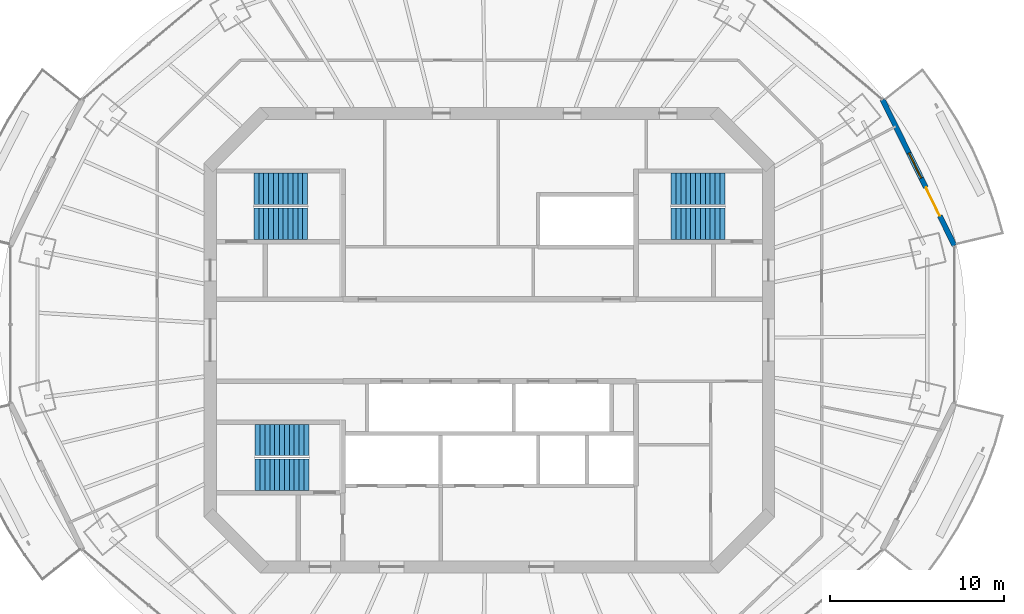
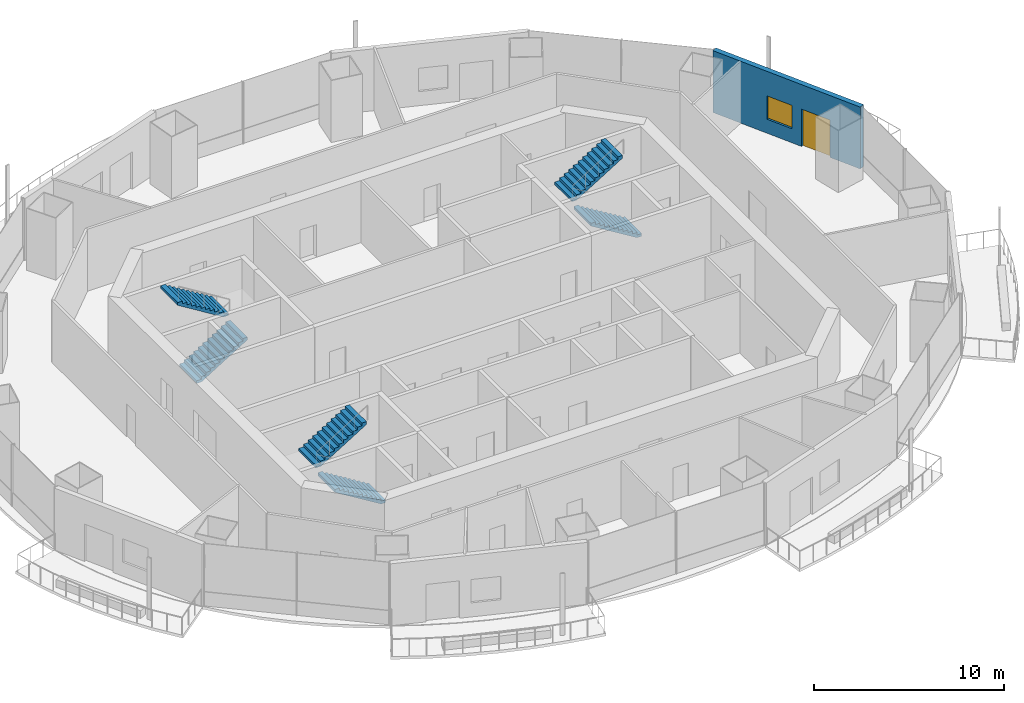
# One storey, part 11 of 16: 6 stair flights, 1 door, 1 wall, 1 window, 2 openings, 3 elements without a shape of their own.
"""IFC4 building model written with IfcOpenShell, lengths in metres."""

from ifc_helpers import new_model, si_unit, direction, frame, frame_2d, origin, place, context, subcontext, project, spatial, polyline, rectangle, outline, extrude, material, layer, layer_set, type_object, element, fill, aggregate, save


model = new_model("IFC4")

# Units and contexts
model_context = context("Model", 3, precision=1e-05, world=origin(), true_north=direction((0.0, 1.0)))
body_context = subcontext(model_context, "Body", "Model", "MODEL_VIEW")
ifc_project = project(units=[si_unit("LENGTHUNIT", "METRE"), si_unit("AREAUNIT", "SQUARE_METRE"), si_unit("VOLUMEUNIT", "CUBIC_METRE"), si_unit("PLANEANGLEUNIT", "RADIAN"), si_unit("MASSUNIT", "GRAM", prefix="KILO")], contexts=[model_context])

# Site, building, storey
site_placement = place(None, origin())
site = spatial("IfcSite", under=ifc_project, at=site_placement, CompositionType="ELEMENT")
building_placement = place(site_placement, origin())
building = spatial("IfcBuilding", under=site, at=building_placement, Name="Marenthal Gate Tower", CompositionType="ELEMENT")
storey_placement = place(building_placement, frame((0.0, 0.0, 330.14990234375)))
storey = spatial("IfcBuildingStorey", under=building, at=storey_placement, Name="L74", CompositionType="ELEMENT", Elevation=330.14990234375)

# Wall, openings, door, window
ifc_material_1 = material(Name="Terracotta cladding on insulated concrete-block backing", Category="masonry")
ifc_layer = layer(ifc_material_1, 0.300048828125)
ifc_layer_set = layer_set([ifc_layer], Name="Terracotta facade wall 300")
wall_type = type_object("IfcWallType", Name="Terracotta facade wall 300", PredefinedType="SOLIDWALL", material=ifc_layer_set)
wall_placement = place(storey_placement, frame((26.661865234375, 5.427490234375, 0.0), z_axis=(0.0, 0.0, 1.0), x_axis=(-0.441801707928, 0.897112730303, 0.0)))
wall = element("IfcWall", 1, at=wall_placement, inside=storey, type_object=wall_type, Name="Terracotta facade wall L74 bay 1", PredefinedType="SOLIDWALL", context=body_context, shape_type="SweptSolid", body=[
    extrude(rectangle(XDim=9.3251953125, YDim=0.300048828125, at=frame_2d((4.66259765625, 0.0))), origin(), (0.0, 0.0, 1.0), 3.97021484375),
])
opening_1_placement = place(wall_placement, frame((1.89990234375, 0.0, 0.0)))
opening_1 = element("IfcOpeningElement", 2, at=opening_1_placement, cuts=wall, Name="Opening BD-L74-01", PredefinedType="OPENING", context=body_context, shape_type="SweptSolid", body=[
    extrude(rectangle(XDim=1.800048828125, YDim=2.39990234375, at=frame_2d((0.89990234375, 1.199951171875))), frame((0.0, 0.16015625, 0.0), z_axis=(0.0, -1.0, 0.0), x_axis=(1.0, 0.0, 0.0)), (0.0, 0.0, 1.0), 0.320068359375),
])
opening_2_placement = place(wall_placement, frame((4.300048828125, 0.0, 0.89990234375)))
opening_2 = element("IfcOpeningElement", 3, at=opening_2_placement, cuts=wall, Name="Opening WN3-L74-01", PredefinedType="OPENING", context=body_context, shape_type="SweptSolid", body=[
    extrude(rectangle(XDim=1.60009765625, YDim=1.5, at=frame_2d((0.800048828125, 0.75))), frame((0.0, 0.16015625, 0.0), z_axis=(0.0, -1.0, 0.0), x_axis=(1.0, 0.0, 0.0)), (0.0, 0.0, 1.0), 0.320068359375),
])
ifc_material_2 = material(Name="Aluminium and glass", Category="aluminium")
door_type = type_object("IfcDoorType", Name="Balcony door 1800x2400", OperationType="DOUBLE_DOOR_SINGLE_SWING", PredefinedType="DOOR", material=ifc_material_2)
door_placement = place(opening_1_placement, origin())
door = element("IfcDoor", 4, at=door_placement, inside=storey, type_object=door_type, Name="Balcony door L74 bay 1", OperationType="SINGLE_SWING_LEFT", OverallHeight=2.39990234375, OverallWidth=1.800048828125, PredefinedType="DOOR", context=body_context, shape_type="SweptSolid", body=[
    extrude(rectangle(XDim=1.800048828125, YDim=2.39990234375, at=frame_2d((0.89990234375, 1.199951171875))), frame((0.0, 0.02490234375, 0.0), z_axis=(0.0, -1.0, 0.0), x_axis=(1.0, 0.0, 0.0)), (0.0, 0.0, 1.0), 0.050048828125),
])
fill(opening_1, door)
ifc_material_3 = material(Name="Aluminium and glass", Category="aluminium")
window_type = type_object("IfcWindowType", Name="Window 1600x1500", PartitioningType="DOUBLE_PANEL_VERTICAL", PredefinedType="WINDOW", material=ifc_material_3)
window_placement = place(opening_2_placement, origin())
window = element("IfcWindow", 5, at=window_placement, inside=storey, type_object=window_type, Name="Window L74 bay 1", OverallHeight=1.5, OverallWidth=1.60009765625, PartitioningType="SINGLE_PANEL", PredefinedType="WINDOW", context=body_context, shape_type="SweptSolid", body=[
    extrude(rectangle(XDim=1.60009765625, YDim=1.5, at=frame_2d((0.800048828125, 0.75))), frame((0.0, 0.030029296875, 0.0), z_axis=(0.0, -1.0, 0.0), x_axis=(1.0, 0.0, 0.0)), (0.0, 0.0, 1.0), 0.06005859375),
])
fill(opening_2, window)

# Stair, stair flights
ifc_material_4 = material(Name="Concrete 40 MPa", Category="concrete")
stair_type = type_object("IfcStairType", Name="Exit stair 1800", PredefinedType="HALF_TURN_STAIR", material=ifc_material_4)
stair_1_placement = place(storey_placement, origin())
stair_1 = element("IfcStair", 6, at=stair_1_placement, inside=storey, type_object=stair_type, Name="Stair ST1", PredefinedType="HALF_TURN_STAIR")
ifc_material_5 = material(Name="Concrete 40 MPa", Category="concrete")
stair_flight_type = type_object("IfcStairFlightType", Name="Stair flight 1800", PredefinedType="STRAIGHT", material=ifc_material_5)
stair_flight_1_placement = place(storey_placement, frame((-13.5, 6.675048828125, 0.0), z_axis=(0.0, 0.0, 1.0), x_axis=(1.0, 0.0, 0.0)))
stair_flight_1 = element("IfcStairFlight", 7, at=stair_flight_1_placement, type_object=stair_flight_type, Name="ST1 flight 1", NumberOfRisers=12, NumberOfTreads=11, PredefinedType="STRAIGHT", RiserHeight=0.172916667, TreadLength=0.28, context=body_context, shape_type="SweptSolid", body=[
    extrude(outline(polyline([(0.0, 0.0), (0.0, 0.1728515625), (0.280029296875, 0.1728515625), (0.280029296875, 0.345947265625), (0.56005859375, 0.345947265625), (0.56005859375, 0.518798828125), (0.840087890625, 0.518798828125), (0.840087890625, 0.691650390625), (1.1201171875, 0.691650390625), (1.1201171875, 0.864501953125), (1.39990234375, 0.864501953125), (1.39990234375, 1.03759765625), (1.679931640625, 1.03759765625), (1.679931640625, 1.21044921875), (1.9599609375, 1.21044921875), (1.9599609375, 1.38330078125), (2.239990234375, 1.38330078125), (2.239990234375, 1.55615234375), (2.52001953125, 1.55615234375), (2.52001953125, 1.729248046875), (2.800048828125, 1.729248046875), (2.800048828125, 1.902099609375), (3.080078125, 1.902099609375), (3.080078125, 2.074951171875), (3.080078125, 1.725830078125), (0.285400390625, 0.0), (0.0, 0.0)])), frame((0.0, 0.89990234375, 0.0), z_axis=(0.0, -1.0, 0.0), x_axis=(1.0, 0.0, 0.0)), (0.0, 0.0, 1.0), 1.800048828125),
])
stair_flight_2_placement = place(storey_placement, frame((-10.419921875, 8.675048828125, 2.0751953125), z_axis=(0.0, 0.0, 1.0), x_axis=(-1.0, 0.0, 0.0)))
stair_flight_2 = element("IfcStairFlight", 8, at=stair_flight_2_placement, type_object=stair_flight_type, Name="ST1 flight 2", NumberOfRisers=12, NumberOfTreads=11, PredefinedType="STRAIGHT", RiserHeight=0.172916667, TreadLength=0.28, context=body_context, shape_type="SweptSolid", body=[
    extrude(outline(polyline([(0.0, 0.0), (0.0, 0.1728515625), (0.280029296875, 0.1728515625), (0.280029296875, 0.345947265625), (0.56005859375, 0.345947265625), (0.56005859375, 0.518798828125), (0.840087890625, 0.518798828125), (0.840087890625, 0.691650390625), (1.1201171875, 0.691650390625), (1.1201171875, 0.864501953125), (1.39990234375, 0.864501953125), (1.39990234375, 1.03759765625), (1.679931640625, 1.03759765625), (1.679931640625, 1.21044921875), (1.9599609375, 1.21044921875), (1.9599609375, 1.38330078125), (2.239990234375, 1.38330078125), (2.239990234375, 1.55615234375), (2.52001953125, 1.55615234375), (2.52001953125, 1.729248046875), (2.800048828125, 1.729248046875), (2.800048828125, 1.902099609375), (3.080078125, 1.902099609375), (3.080078125, 2.074951171875), (3.080078125, 1.725830078125), (0.285400390625, 0.0), (0.0, 0.0)])), frame((0.0, 0.89990234375, 0.0), z_axis=(0.0, -1.0, 0.0), x_axis=(1.0, 0.0, 0.0)), (0.0, 0.0, 1.0), 1.800048828125),
])
aggregate(stair_1, [stair_flight_1, stair_flight_2])

stair_2_placement = place(storey_placement, origin())
stair_2 = element("IfcStair", 9, at=stair_2_placement, inside=storey, type_object=stair_type, Name="Stair ST2", PredefinedType="HALF_TURN_STAIR")
stair_flight_3_placement = place(storey_placement, frame((-10.35009765625, -7.72509765625, 0.0), z_axis=(0.0, 0.0, 1.0), x_axis=(-1.0, 0.0, 0.0)))
stair_flight_3 = element("IfcStairFlight", 10, at=stair_flight_3_placement, type_object=stair_flight_type, Name="ST2 flight 1", NumberOfRisers=12, NumberOfTreads=11, PredefinedType="STRAIGHT", RiserHeight=0.172916667, TreadLength=0.28, context=body_context, shape_type="SweptSolid", body=[
    extrude(outline(polyline([(0.0, 0.0), (0.0, 0.1728515625), (0.280029296875, 0.1728515625), (0.280029296875, 0.345947265625), (0.56005859375, 0.345947265625), (0.56005859375, 0.518798828125), (0.840087890625, 0.518798828125), (0.840087890625, 0.691650390625), (1.1201171875, 0.691650390625), (1.1201171875, 0.864501953125), (1.39990234375, 0.864501953125), (1.39990234375, 1.03759765625), (1.679931640625, 1.03759765625), (1.679931640625, 1.21044921875), (1.9599609375, 1.21044921875), (1.9599609375, 1.38330078125), (2.239990234375, 1.38330078125), (2.239990234375, 1.55615234375), (2.52001953125, 1.55615234375), (2.52001953125, 1.729248046875), (2.800048828125, 1.729248046875), (2.800048828125, 1.902099609375), (3.080078125, 1.902099609375), (3.080078125, 2.074951171875), (3.080078125, 1.725830078125), (0.285400390625, 0.0), (0.0, 0.0)])), frame((0.0, 0.89990234375, 0.0), z_axis=(0.0, -1.0, 0.0), x_axis=(1.0, 0.0, 0.0)), (0.0, 0.0, 1.0), 1.800048828125),
])
stair_flight_4_placement = place(storey_placement, frame((-13.429931640625, -5.72509765625, 2.0751953125), z_axis=(0.0, 0.0, 1.0), x_axis=(1.0, 0.0, 0.0)))
stair_flight_4 = element("IfcStairFlight", 11, at=stair_flight_4_placement, type_object=stair_flight_type, Name="ST2 flight 2", NumberOfRisers=12, NumberOfTreads=11, PredefinedType="STRAIGHT", RiserHeight=0.172916667, TreadLength=0.28, context=body_context, shape_type="SweptSolid", body=[
    extrude(outline(polyline([(0.0, 0.0), (0.0, 0.1728515625), (0.280029296875, 0.1728515625), (0.280029296875, 0.345947265625), (0.56005859375, 0.345947265625), (0.56005859375, 0.518798828125), (0.840087890625, 0.518798828125), (0.840087890625, 0.691650390625), (1.1201171875, 0.691650390625), (1.1201171875, 0.864501953125), (1.39990234375, 0.864501953125), (1.39990234375, 1.03759765625), (1.679931640625, 1.03759765625), (1.679931640625, 1.21044921875), (1.9599609375, 1.21044921875), (1.9599609375, 1.38330078125), (2.239990234375, 1.38330078125), (2.239990234375, 1.55615234375), (2.52001953125, 1.55615234375), (2.52001953125, 1.729248046875), (2.800048828125, 1.729248046875), (2.800048828125, 1.902099609375), (3.080078125, 1.902099609375), (3.080078125, 2.074951171875), (3.080078125, 1.725830078125), (0.285400390625, 0.0), (0.0, 0.0)])), frame((0.0, 0.89990234375, 0.0), z_axis=(0.0, -1.0, 0.0), x_axis=(1.0, 0.0, 0.0)), (0.0, 0.0, 1.0), 1.800048828125),
])
aggregate(stair_2, [stair_flight_3, stair_flight_4])

stair_3_placement = place(storey_placement, origin())
stair_3 = element("IfcStair", 12, at=stair_3_placement, inside=storey, type_object=stair_type, Name="Stair ST3", PredefinedType="HALF_TURN_STAIR")
stair_flight_5_placement = place(storey_placement, frame((13.5, 6.675048828125, 0.0), z_axis=(0.0, 0.0, 1.0), x_axis=(-1.0, 0.0, 0.0)))
stair_flight_5 = element("IfcStairFlight", 13, at=stair_flight_5_placement, type_object=stair_flight_type, Name="ST3 flight 1", NumberOfRisers=12, NumberOfTreads=11, PredefinedType="STRAIGHT", RiserHeight=0.172916667, TreadLength=0.28, context=body_context, shape_type="SweptSolid", body=[
    extrude(outline(polyline([(0.0, 0.0), (0.0, 0.1728515625), (0.280029296875, 0.1728515625), (0.280029296875, 0.345947265625), (0.56005859375, 0.345947265625), (0.56005859375, 0.518798828125), (0.840087890625, 0.518798828125), (0.840087890625, 0.691650390625), (1.1201171875, 0.691650390625), (1.1201171875, 0.864501953125), (1.39990234375, 0.864501953125), (1.39990234375, 1.03759765625), (1.679931640625, 1.03759765625), (1.679931640625, 1.21044921875), (1.9599609375, 1.21044921875), (1.9599609375, 1.38330078125), (2.239990234375, 1.38330078125), (2.239990234375, 1.55615234375), (2.52001953125, 1.55615234375), (2.52001953125, 1.729248046875), (2.800048828125, 1.729248046875), (2.800048828125, 1.902099609375), (3.080078125, 1.902099609375), (3.080078125, 2.074951171875), (3.080078125, 1.725830078125), (0.285400390625, 0.0), (0.0, 0.0)])), frame((0.0, 0.89990234375, 0.0), z_axis=(0.0, -1.0, 0.0), x_axis=(1.0, 0.0, 0.0)), (0.0, 0.0, 1.0), 1.800048828125),
])
stair_flight_6_placement = place(storey_placement, frame((10.419921875, 8.675048828125, 2.0751953125), z_axis=(0.0, 0.0, 1.0), x_axis=(1.0, 0.0, 0.0)))
stair_flight_6 = element("IfcStairFlight", 14, at=stair_flight_6_placement, type_object=stair_flight_type, Name="ST3 flight 2", NumberOfRisers=12, NumberOfTreads=11, PredefinedType="STRAIGHT", RiserHeight=0.172916667, TreadLength=0.28, context=body_context, shape_type="SweptSolid", body=[
    extrude(outline(polyline([(0.0, 0.0), (0.0, 0.1728515625), (0.280029296875, 0.1728515625), (0.280029296875, 0.345947265625), (0.56005859375, 0.345947265625), (0.56005859375, 0.518798828125), (0.840087890625, 0.518798828125), (0.840087890625, 0.691650390625), (1.1201171875, 0.691650390625), (1.1201171875, 0.864501953125), (1.39990234375, 0.864501953125), (1.39990234375, 1.03759765625), (1.679931640625, 1.03759765625), (1.679931640625, 1.21044921875), (1.9599609375, 1.21044921875), (1.9599609375, 1.38330078125), (2.239990234375, 1.38330078125), (2.239990234375, 1.55615234375), (2.52001953125, 1.55615234375), (2.52001953125, 1.729248046875), (2.800048828125, 1.729248046875), (2.800048828125, 1.902099609375), (3.080078125, 1.902099609375), (3.080078125, 2.074951171875), (3.080078125, 1.725830078125), (0.285400390625, 0.0), (0.0, 0.0)])), frame((0.0, 0.89990234375, 0.0), z_axis=(0.0, -1.0, 0.0), x_axis=(1.0, 0.0, 0.0)), (0.0, 0.0, 1.0), 1.800048828125),
])
aggregate(stair_3, [stair_flight_5, stair_flight_6])

save(model, "model.ifc")
